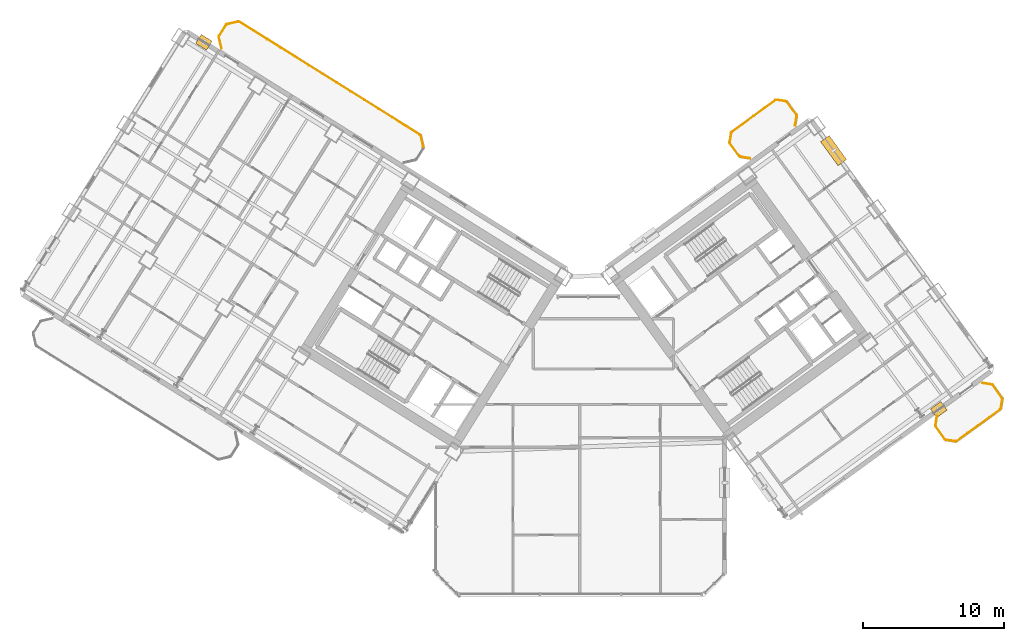
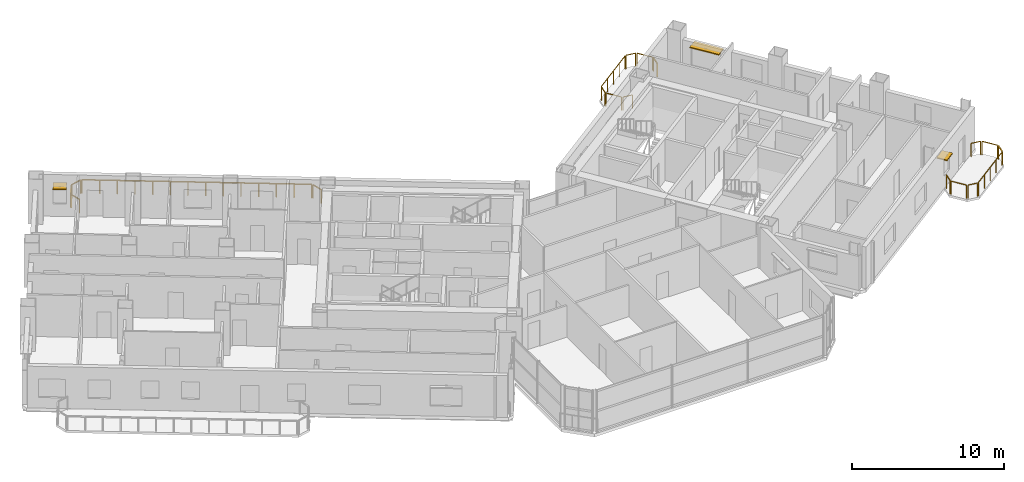
# One storey, part 25 of 25: 19 railings, 3 shading devices.
"""IFC4 building model written with IfcOpenShell, lengths in metres."""

import ifcopenshell
import ifcopenshell.guid

model = None  # the IFC model being written
_history = None  # IfcOwnerHistory: only IFC2X3 demands one
_inside = {}  # id of a spatial element -> (the spatial element, [elements in it])
_under = {}  # id of a project, library or spatial element -> (it, [spatial elements below it])
_declared = {}  # id of a project -> (the project, [libraries it declares])
_typed = {}  # id of a type object -> (the type object, [elements of that type])
_made_of = {}  # id of a material, layer set ... -> (it, [elements and type objects made of it])


def new_model(schema):
    """Start an empty IFC model of exactly this schema.

    Asked for "IFC4X3", IfcOpenShell would pick the latest addendum, in which some entities
    have other attributes; the version numbers below select the first issue.
    IFC2X3 requires an IfcOwnerHistory on every rooted entity: one is made here for all.
    """
    global model, _history
    if schema == "IFC4X3":
        model = ifcopenshell.file(schema_version=(4, 3, 0, 0))
    else:
        model = ifcopenshell.file(schema=schema)
    _inside.clear()
    _under.clear()
    _declared.clear()
    _typed.clear()
    _made_of.clear()
    _history = None
    if model.schema == "IFC2X3":
        org = make("IfcOrganization", Name="unknown")
        user = make(
            "IfcPersonAndOrganization",
            ThePerson=make("IfcPerson", FamilyName="unknown"),
            TheOrganization=org,
        )
        app = make(
            "IfcApplication",
            ApplicationDeveloper=org,
            Version="unknown",
            ApplicationFullName="unknown",
            ApplicationIdentifier="unknown",
        )
        _history = make(
            "IfcOwnerHistory",
            OwningUser=user,
            OwningApplication=app,
            ChangeAction="ADDED",
            CreationDate=0,
        )
    return model


def make(cls, **values):
    """One entity of the class cls with the attributes given. An attribute that is None is left unset."""
    return model.create_entity(
        cls, **{name: value for name, value in values.items() if value is not None}
    )


def rooted(cls, **values):
    """An entity with a GlobalId (a new one), such as an element, a storey or a relation."""
    return make(cls, GlobalId=ifcopenshell.guid.new(), OwnerHistory=_history, **values)


def si_unit(unit_type, name, prefix=None):
    """IfcSIUnit, for example si_unit("LENGTHUNIT", "METRE", prefix="MILLI")."""
    return make("IfcSIUnit", UnitType=unit_type, Prefix=prefix, Name=name)


def assignment(units):
    """IfcUnitAssignment: the units of a project."""
    return None if units is None else make("IfcUnitAssignment", Units=units)


def point(xyz):
    """IfcCartesianPoint."""
    return None if xyz is None else make("IfcCartesianPoint", Coordinates=xyz)


def direction(xyz):
    """IfcDirection."""
    return None if xyz is None else make("IfcDirection", DirectionRatios=xyz)


def frame(location, z_axis=None, x_axis=None):
    """IfcAxis2Placement3D, a coordinate frame: its origin and axes. An axis left out is left unset."""
    return make(
        "IfcAxis2Placement3D",
        Location=point(location),
        Axis=direction(z_axis),
        RefDirection=direction(x_axis),
    )


def frame_2d(location, x_axis=None):
    """IfcAxis2Placement2D, a coordinate frame in the plane: its origin and x axis."""
    return make(
        "IfcAxis2Placement2D", Location=point(location), RefDirection=direction(x_axis)
    )


def origin():
    """The frame at (0, 0, 0) with its axes left unset."""
    return frame((0.0, 0.0, 0.0))


def origin_2d():
    """The frame at (0, 0) in the plane with its x axis left unset."""
    return frame_2d((0.0, 0.0))


def place(relative_to, where):
    """IfcLocalPlacement: puts the frame where relative to a parent placement (None: the world)."""
    return make(
        "IfcLocalPlacement", PlacementRelTo=relative_to, RelativePlacement=where
    )


def context(
    kind, dimensions, precision=None, world=None, true_north=None, identifier=None
):
    """IfcGeometricRepresentationContext, for example the 3D "Model" context."""
    return make(
        "IfcGeometricRepresentationContext",
        ContextIdentifier=identifier,
        ContextType=kind,
        CoordinateSpaceDimension=dimensions,
        Precision=precision,
        WorldCoordinateSystem=world,
        TrueNorth=true_north,
    )


def subcontext(parent, identifier, kind, view, scale=None):
    """IfcGeometricRepresentationSubContext, for example "Body" below "Model"."""
    return make(
        "IfcGeometricRepresentationSubContext",
        ContextIdentifier=identifier,
        ContextType=kind,
        ParentContext=parent,
        TargetScale=scale,
        TargetView=view,
    )


def project(units=None, contexts=None):
    """IfcProject with its units and contexts."""
    return rooted(
        "IfcProject",
        Name="project",
        RepresentationContexts=contexts,
        UnitsInContext=assignment(units),
    )


def spatial(cls, under=None, at=None, **own):
    """A site, building, storey or space (cls), placed at a placement, below another one or the project."""
    s = rooted(cls, ObjectPlacement=at, **own)
    if under is not None:
        _under.setdefault(under.id(), (under, []))[1].append(s)
    return s


def profile(cls, at=None, kind="AREA", **sizes):
    """A parametric profile (cls). Its sizes go by their IFC names, for example OverallWidth=200.0."""
    return make(cls, ProfileType=kind, Position=at, **sizes)


def rectangle(**sizes):
    """IfcRectangleProfileDef."""
    return profile("IfcRectangleProfileDef", **sizes)


def extrude(swept, where, along, depth):
    """IfcExtrudedAreaSolid: the profile swept, set in the frame where, extruded along a direction by depth."""
    return make(
        "IfcExtrudedAreaSolid",
        SweptArea=swept,
        Position=where,
        ExtrudedDirection=direction(along),
        Depth=depth,
    )


def shape(context_of_items, identifier, shape_type, items):
    """IfcShapeRepresentation: the items that make up one representation, for example the "Body"."""
    return make(
        "IfcShapeRepresentation",
        ContextOfItems=context_of_items,
        RepresentationIdentifier=identifier,
        RepresentationType=shape_type,
        Items=items,
    )


def source(mapping_origin, context_of_items, identifier, shape_type, items):
    """IfcRepresentationMap: a shape defined once, which mapped items show again and again."""
    return make(
        "IfcRepresentationMap",
        MappingOrigin=mapping_origin,
        MappedRepresentation=shape(context_of_items, identifier, shape_type, items),
    )


def transform(
    local_origin,
    x_axis=None,
    y_axis=None,
    z_axis=None,
    scale=None,
    scale2=None,
    scale3=None,
    uniform=True,
):
    """IfcCartesianTransformationOperator3D, or its non-uniform kind. x_axis, y_axis, z_axis: its Axis1, 2, 3."""
    if uniform:
        return make(
            "IfcCartesianTransformationOperator3D",
            Axis1=direction(x_axis),
            Axis2=direction(y_axis),
            LocalOrigin=point(local_origin),
            Scale=scale,
            Axis3=direction(z_axis),
        )
    return make(
        "IfcCartesianTransformationOperator3DnonUniform",
        Axis1=direction(x_axis),
        Axis2=direction(y_axis),
        LocalOrigin=point(local_origin),
        Scale=scale,
        Axis3=direction(z_axis),
        Scale2=scale2,
        Scale3=scale3,
    )


def mapped(mapping_source, mapping_target):
    """IfcMappedItem: shows the shape of a source again, moved by a transform."""
    return make(
        "IfcMappedItem", MappingSource=mapping_source, MappingTarget=mapping_target
    )


def material(Name=None, Category=None):
    """IfcMaterial."""
    return make("IfcMaterial", Name=Name, Category=Category)


def layer(
    of_material, thickness, ventilated=None, Name=None, Category=None, Priority=None
):
    """IfcMaterialLayer: one layer of a wall or slab, of a material (None: an air gap)."""
    return make(
        "IfcMaterialLayer",
        Material=of_material,
        LayerThickness=thickness,
        IsVentilated=ventilated,
        Name=Name,
        Category=Category,
        Priority=Priority,
    )


def layer_set(layers, Name=None):
    """IfcMaterialLayerSet."""
    return make("IfcMaterialLayerSet", MaterialLayers=layers, LayerSetName=Name)


def made_of(thing, what):
    """Note that an element or type object is made of a material, layer set ...; save() writes the relation."""
    if what is not None:
        _made_of.setdefault(what.id(), (what, []))[1].append(thing)
    return thing


def type_object(cls, material=None, **own):
    """A type object (cls), such as IfcWallType, which elements share."""
    return made_of(rooted(cls, **own), material)


def element(
    cls,
    number,
    at=None,
    inside=None,
    cuts=None,
    type_object=None,
    material=None,
    context=None,
    identifier="Body",
    shape_type=None,
    held_by="IfcProductDefinitionShape",
    body=None,
    shapes=None,
    **own,
):
    """One element of the class cls, such as IfcWall. Its Tag is "e" and its number.

    at: its placement. inside: the storey or other place that contains it. cuts: it is an
    opening in that element (IfcRelVoidsElement). A single representation is given by context,
    identifier, shape_type and body (its items); several are given by shapes. held_by: the class
    of the entity that holds the representations. save() writes the other relations.
    """
    e = rooted(cls, Tag="e%d" % number, ObjectPlacement=at, **own)
    if body is not None:
        shapes = [shape(context, identifier, shape_type, body)]
    if shapes is not None:
        e.Representation = make(held_by, Representations=shapes)
    if inside is not None:
        _inside.setdefault(inside.id(), (inside, []))[1].append(e)
    if cuts is not None:
        rooted(
            "IfcRelVoidsElement", RelatingBuildingElement=cuts, RelatedOpeningElement=e
        )
    if type_object is not None:
        _typed.setdefault(type_object.id(), (type_object, []))[1].append(e)
    return made_of(e, material)


def aggregate(whole, parts):
    """IfcRelAggregates: a whole, such as a stair, and the parts it consists of."""
    return rooted("IfcRelAggregates", RelatingObject=whole, RelatedObjects=parts)


def save(model, path):
    """Write the relations noted so far, then the file.

    IfcRelAggregates (storeys below a building ...), IfcRelContainedInSpatialStructure (elements
    in a storey), IfcRelDefinesByType, IfcRelAssociatesMaterial and IfcRelDeclares: one each for
    every whole, place, type object, material and project.
    """
    for whole, parts in _under.values():
        aggregate(whole, parts)
    for where, things in _inside.values():
        rooted(
            "IfcRelContainedInSpatialStructure",
            RelatedElements=things,
            RelatingStructure=where,
        )
    for kind, things in _typed.values():
        rooted("IfcRelDefinesByType", RelatedObjects=things, RelatingType=kind)
    for what, things in _made_of.values():
        rooted("IfcRelAssociatesMaterial", RelatedObjects=things, RelatingMaterial=what)
    for by, libraries in _declared.values():
        rooted("IfcRelDeclares", RelatingContext=by, RelatedDefinitions=libraries)
    model.write(path)


model = new_model("IFC4")

# Units and contexts
model_context = context("Model", 3, precision=1e-05, world=origin(), true_north=direction((0.0, 1.0)))
body_context = subcontext(model_context, "Body", "Model", "MODEL_VIEW")
ifc_project = project(units=[si_unit("LENGTHUNIT", "METRE"), si_unit("AREAUNIT", "SQUARE_METRE"), si_unit("VOLUMEUNIT", "CUBIC_METRE"), si_unit("PLANEANGLEUNIT", "RADIAN"), si_unit("MASSUNIT", "GRAM", prefix="KILO")], contexts=[model_context])

# Site, building, storey
site_placement = place(None, origin())
site = spatial("IfcSite", under=ifc_project, at=site_placement, CompositionType="ELEMENT")
building_placement = place(site_placement, origin())
building = spatial("IfcBuilding", under=site, at=building_placement, Name="Tlacorven Tower", CompositionType="ELEMENT")
storey_placement = place(building_placement, frame((0.0, 0.0, 52.800048828125)))
storey = spatial("IfcBuildingStorey", under=building, at=storey_placement, Name="L13", CompositionType="ELEMENT", Elevation=52.800048828125)

# Railings
ifc_material_1 = material(Name="Aluminium and painted steel balustrade", Category="steel")
railing_type = type_object("IfcRailingType", Name="RL-BAL-1100", PredefinedType="BALUSTRADE", material=ifc_material_1)
shared_shape_1 = source(origin(), body_context, "Body", "SweptSolid", [
    extrude(rectangle(XDim=0.048095703125, YDim=0.048095703125, at=origin_2d()), frame((0.0, 0.0, 1.076171875), z_axis=(0.225058334816, -0.974345290916, 0.0), x_axis=(0.974345290916, 0.225058334816, 0.0)), (0.0, 0.0, 1.0), 0.80712890625),
    extrude(rectangle(XDim=0.0419921875, YDim=0.0419921875, at=origin_2d()), origin(), (0.0, 0.0, 1.0), 1.052001953125),
    extrude(rectangle(XDim=0.0419921875, YDim=0.0419921875, at=origin_2d()), frame((0.181640625, -0.786376953125, 0.0)), (0.0, 0.0, 1.0), 1.052001953125),
])
railing_1_placement = place(storey_placement, frame((30.6796875, 34.466064453125, 0.0)))
element("IfcRailing", 1, at=railing_1_placement, inside=storey, type_object=railing_type, Name="BAL-L13-W-IN Guard Railing 1", PredefinedType="BALUSTRADE", context=body_context, shape_type="MappedRepresentation", body=[
    mapped(shared_shape_1, transform((0.0, 0.0, 0.0), scale=1.0)),
])
shared_shape_2 = source(origin(), body_context, "Body", "SweptSolid", [
    extrude(rectangle(XDim=0.048095703125, YDim=0.048095703125, at=origin_2d()), frame((0.0, 0.0, 1.076171875), z_axis=(-0.225058334816, 0.974345290916, 0.0), x_axis=(-0.974345290916, -0.225058334816, 0.0)), (0.0, 0.0, 1.0), 0.80712890625),
    extrude(rectangle(XDim=0.0419921875, YDim=0.0419921875, at=origin_2d()), origin(), (0.0, 0.0, 1.0), 1.052001953125),
    extrude(rectangle(XDim=0.0419921875, YDim=0.0419921875, at=origin_2d()), frame((-0.181640625, 0.786376953125, 0.0)), (0.0, 0.0, 1.0), 1.052001953125),
])
railing_2_placement = place(storey_placement, frame((16.5361328125, 40.68115234375, 0.0)))
element("IfcRailing", 2, at=railing_2_placement, inside=storey, type_object=railing_type, Name="BAL-L13-W-IN Guard Railing 4", PredefinedType="BALUSTRADE", context=body_context, shape_type="MappedRepresentation", body=[
    mapped(shared_shape_2, transform((0.0, 0.0, 0.0), scale=1.0)),
])
shared_shape_3 = source(origin(), body_context, "Body", "SweptSolid", [
    extrude(rectangle(XDim=0.048095703125, YDim=0.048095703125, at=origin_2d()), frame((0.0, 0.0, 1.076171875), z_axis=(0.52987865805, 0.848073468364, 0.0), x_axis=(-0.848073468364, 0.52987865805, 0.0)), (0.0, 0.0, 1.0), 0.912353515625),
    extrude(rectangle(XDim=0.0419921875, YDim=0.0419921875, at=origin_2d()), origin(), (0.0, 0.0, 1.0), 1.052001953125),
    extrude(rectangle(XDim=0.0419921875, YDim=0.0419921875, at=origin_2d()), frame((0.4833984375, 0.773681640625, 0.0)), (0.0, 0.0, 1.0), 1.052001953125),
])
railing_3_placement = place(storey_placement, frame((16.369873046875, 41.55859375, 0.0)))
element("IfcRailing", 3, at=railing_3_placement, inside=storey, type_object=railing_type, Name="BAL-L13-W-IN Guard Railing 5", PredefinedType="BALUSTRADE", context=body_context, shape_type="MappedRepresentation", body=[
    mapped(shared_shape_3, transform((0.0, 0.0, 0.0), scale=1.0)),
])
shared_shape_4 = source(origin(), body_context, "Body", "SweptSolid", [
    extrude(rectangle(XDim=0.048095703125, YDim=0.048095703125, at=origin_2d()), frame((0.0, 0.0, 1.076171875), z_axis=(0.974411586182, 0.224771129628, 0.0), x_axis=(-0.224771129628, 0.974411586182, 0.0)), (0.0, 0.0, 1.0), 0.80712890625),
    extrude(rectangle(XDim=0.0419921875, YDim=0.0419921875, at=origin_2d()), origin(), (0.0, 0.0, 1.0), 1.052001953125),
    extrude(rectangle(XDim=0.0419921875, YDim=0.0419921875, at=origin_2d()), frame((0.786376953125, 0.181396484375, 0.0)), (0.0, 0.0, 1.0), 1.052001953125),
])
railing_4_placement = place(storey_placement, frame((16.928466796875, 42.385986328125, 0.0)))
element("IfcRailing", 4, at=railing_4_placement, inside=storey, type_object=railing_type, Name="BAL-L13-W-IN Guard Railing 6", PredefinedType="BALUSTRADE", context=body_context, shape_type="MappedRepresentation", body=[
    mapped(shared_shape_4, transform((0.0, 0.0, 0.0), scale=1.0)),
])
shared_shape_5 = source(origin(), body_context, "Body", "SweptSolid", [
    extrude(rectangle(XDim=0.048095703125, YDim=0.048095703125, at=origin_2d()), frame((0.0, 0.0, 1.076171875), z_axis=(0.848044572804, -0.529924902733, 0.0), x_axis=(0.529924902733, 0.848044572804, 0.0)), (0.0, 0.0, 1.0), 15.1171875),
    extrude(rectangle(XDim=0.0419921875, YDim=0.0419921875, at=origin_2d()), origin(), (0.0, 0.0, 1.0), 1.052001953125),
    extrude(rectangle(XDim=0.0419921875, YDim=0.0419921875, at=origin_2d()), frame((0.986083984375, -0.6162109375, 0.0)), (0.0, 0.0, 1.0), 1.052001953125),
    extrude(rectangle(XDim=0.0419921875, YDim=0.0419921875, at=origin_2d()), frame((1.972412109375, -1.232421875, 0.0)), (0.0, 0.0, 1.0), 1.052001953125),
    extrude(rectangle(XDim=0.0419921875, YDim=0.0419921875, at=origin_2d()), frame((2.95849609375, -1.8486328125, 0.0)), (0.0, 0.0, 1.0), 1.052001953125),
    extrude(rectangle(XDim=0.0419921875, YDim=0.0419921875, at=origin_2d()), frame((3.944580078125, -2.46484375, 0.0)), (0.0, 0.0, 1.0), 1.052001953125),
    extrude(rectangle(XDim=0.0419921875, YDim=0.0419921875, at=origin_2d()), frame((4.930908203125, -3.0810546875, 0.0)), (0.0, 0.0, 1.0), 1.052001953125),
    extrude(rectangle(XDim=0.0419921875, YDim=0.0419921875, at=origin_2d()), frame((5.9169921875, -3.697265625, 0.0)), (0.0, 0.0, 1.0), 1.052001953125),
    extrude(rectangle(XDim=0.0419921875, YDim=0.0419921875, at=origin_2d()), frame((6.903076171875, -4.313720703125, 0.0)), (0.0, 0.0, 1.0), 1.052001953125),
    extrude(rectangle(XDim=0.0419921875, YDim=0.0419921875, at=origin_2d()), frame((7.88916015625, -4.929931640625, 0.0)), (0.0, 0.0, 1.0), 1.052001953125),
    extrude(rectangle(XDim=0.0419921875, YDim=0.0419921875, at=origin_2d()), frame((8.87548828125, -5.546142578125, 0.0)), (0.0, 0.0, 1.0), 1.052001953125),
    extrude(rectangle(XDim=0.0419921875, YDim=0.0419921875, at=origin_2d()), frame((9.861572265625, -6.162353515625, 0.0)), (0.0, 0.0, 1.0), 1.052001953125),
    extrude(rectangle(XDim=0.0419921875, YDim=0.0419921875, at=origin_2d()), frame((10.84765625, -6.778564453125, 0.0)), (0.0, 0.0, 1.0), 1.052001953125),
    extrude(rectangle(XDim=0.0419921875, YDim=0.0419921875, at=origin_2d()), frame((11.833984375, -7.394775390625, 0.0)), (0.0, 0.0, 1.0), 1.052001953125),
    extrude(rectangle(XDim=0.0419921875, YDim=0.0419921875, at=origin_2d()), frame((12.820068359375, -8.010986328125, 0.0)), (0.0, 0.0, 1.0), 1.052001953125),
])
railing_5_placement = place(storey_placement, frame((17.805908203125, 42.55224609375, 0.0)))
element("IfcRailing", 5, at=railing_5_placement, inside=storey, type_object=railing_type, Name="BAL-L13-W-IN Guard Railing 7", PredefinedType="BALUSTRADE", context=body_context, shape_type="MappedRepresentation", body=[
    mapped(shared_shape_5, transform((0.0, 0.0, 0.0), scale=1.0)),
])
shared_shape_6 = source(origin(), body_context, "Body", "SweptSolid", [
    extrude(rectangle(XDim=0.048095703125, YDim=0.048095703125, at=origin_2d()), frame((0.0, 0.0, 1.076171875), z_axis=(-0.987661653326, 0.156602868908, 0.0), x_axis=(-0.156602868908, -0.987661653326, 0.0)), (0.0, 0.0, 1.0), 0.665771484375),
    extrude(rectangle(XDim=0.0419921875, YDim=0.0419921875, at=origin_2d()), origin(), (0.0, 0.0, 1.0), 1.052001953125),
    extrude(rectangle(XDim=0.0419921875, YDim=0.0419921875, at=origin_2d()), frame((-0.657470703125, 0.104248046875, 0.0)), (0.0, 0.0, 1.0), 1.052001953125),
])
railing_6_placement = place(storey_placement, frame((68.59521484375, 12.7919921875, 0.0)))
element("IfcRailing", 6, at=railing_6_placement, inside=storey, type_object=railing_type, Name="BAL-L13-E-OUT Guard Railing 1", PredefinedType="BALUSTRADE", context=body_context, shape_type="MappedRepresentation", body=[
    mapped(shared_shape_6, transform((0.0, 0.0, 0.0), scale=1.0)),
])
shared_shape_7 = source(origin(), body_context, "Body", "SweptSolid", [
    extrude(rectangle(XDim=0.048095703125, YDim=0.048095703125, at=origin_2d()), frame((0.0, 0.0, 1.076171875), z_axis=(-0.58788449985, 0.808944877501, 0.0), x_axis=(-0.808944877501, -0.58788449985, 0.0)), (0.0, 0.0, 1.0), 1.112060546875),
    extrude(rectangle(XDim=0.0419921875, YDim=0.0419921875, at=origin_2d()), origin(), (0.0, 0.0, 1.0), 1.052001953125),
    extrude(rectangle(XDim=0.0419921875, YDim=0.0419921875, at=origin_2d()), frame((-0.65380859375, 0.899658203125, 0.0)), (0.0, 0.0, 1.0), 1.052001953125),
])
railing_7_placement = place(storey_placement, frame((67.85888671875, 12.944580078125, 0.0)))
element("IfcRailing", 7, at=railing_7_placement, inside=storey, type_object=railing_type, Name="BAL-L13-E-OUT Guard Railing 2", PredefinedType="BALUSTRADE", context=body_context, shape_type="MappedRepresentation", body=[
    mapped(shared_shape_7, transform((0.0, 0.0, 0.0), scale=1.0)),
])
shared_shape_8 = source(origin(), body_context, "Body", "SweptSolid", [
    extrude(rectangle(XDim=0.048095703125, YDim=0.048095703125, at=origin_2d()), frame((0.0, 0.0, 1.076171875), z_axis=(0.156602868908, 0.987661653326, 0.0), x_axis=(-0.987661653326, 0.156602868908, 0.0)), (0.0, 0.0, 1.0), 0.665771484375),
    extrude(rectangle(XDim=0.0419921875, YDim=0.0419921875, at=origin_2d()), origin(), (0.0, 0.0, 1.0), 1.052001953125),
    extrude(rectangle(XDim=0.0419921875, YDim=0.0419921875, at=origin_2d()), frame((0.104248046875, 0.657470703125, 0.0)), (0.0, 0.0, 1.0), 1.052001953125),
])
railing_8_placement = place(storey_placement, frame((67.18359375, 13.93408203125, 0.0)))
element("IfcRailing", 8, at=railing_8_placement, inside=storey, type_object=railing_type, Name="BAL-L13-E-OUT Guard Railing 3", PredefinedType="BALUSTRADE", context=body_context, shape_type="MappedRepresentation", body=[
    mapped(shared_shape_8, transform((0.0, 0.0, 0.0), scale=1.0)),
])
shared_shape_9 = source(origin(), body_context, "Body", "SweptSolid", [
    extrude(rectangle(XDim=0.048095703125, YDim=0.048095703125, at=origin_2d()), frame((0.0, 0.0, 1.076171875), z_axis=(0.987718317463, -0.156245081039, 0.0), x_axis=(0.156245081039, 0.987718317463, 0.0)), (0.0, 0.0, 1.0), 0.66552734375),
    extrude(rectangle(XDim=0.0419921875, YDim=0.0419921875, at=origin_2d()), origin(), (0.0, 0.0, 1.0), 1.052001953125),
    extrude(rectangle(XDim=0.0419921875, YDim=0.0419921875, at=origin_2d()), frame((0.657470703125, -0.10400390625, 0.0)), (0.0, 0.0, 1.0), 1.052001953125),
])
railing_9_placement = place(storey_placement, frame((70.513916015625, 16.935546875, 0.0)))
element("IfcRailing", 9, at=railing_9_placement, inside=storey, type_object=railing_type, Name="BAL-L13-E-OUT Guard Railing 4", PredefinedType="BALUSTRADE", context=body_context, shape_type="MappedRepresentation", body=[
    mapped(shared_shape_9, transform((0.0, 0.0, 0.0), scale=1.0)),
])
shared_shape_10 = source(origin(), body_context, "Body", "SweptSolid", [
    extrude(rectangle(XDim=0.048095703125, YDim=0.048095703125, at=origin_2d()), frame((0.0, 0.0, 1.076171875), z_axis=(0.58788449985, -0.808944877501, 0.0), x_axis=(0.808944877501, 0.58788449985, 0.0)), (0.0, 0.0, 1.0), 1.112060546875),
    extrude(rectangle(XDim=0.0419921875, YDim=0.0419921875, at=origin_2d()), origin(), (0.0, 0.0, 1.0), 1.052001953125),
    extrude(rectangle(XDim=0.0419921875, YDim=0.0419921875, at=origin_2d()), frame((0.65380859375, -0.899658203125, 0.0)), (0.0, 0.0, 1.0), 1.052001953125),
])
for number, where, name in (
    (10, (71.250244140625, 16.783203125, 0.0), "BAL-L13-E-OUT Guard Railing 5"),
    (11, (56.658447265625, 36.866943359375, 0.0), "BAL-L13-E-IN Guard Railing 6"),
):
    element("IfcRailing", number, at=place(storey_placement, frame(where)), inside=storey, type_object=railing_type, Name=name, PredefinedType="BALUSTRADE", context=body_context, shape_type="MappedRepresentation", body=[
        mapped(shared_shape_10, transform((0.0, 0.0, 0.0), scale=1.0)),
    ])
shared_shape_11 = source(origin(), body_context, "Body", "SweptSolid", [
    extrude(rectangle(XDim=0.048095703125, YDim=0.048095703125, at=origin_2d()), frame((0.0, 0.0, 1.076171875), z_axis=(-0.156188498702, -0.987727266442, 0.0), x_axis=(0.987727266442, -0.156188498702, 0.0)), (0.0, 0.0, 1.0), 0.665771484375),
    extrude(rectangle(XDim=0.0419921875, YDim=0.0419921875, at=origin_2d()), origin(), (0.0, 0.0, 1.0), 1.052001953125),
    extrude(rectangle(XDim=0.0419921875, YDim=0.0419921875, at=origin_2d()), frame((-0.10400390625, -0.65771484375, 0.0)), (0.0, 0.0, 1.0), 1.052001953125),
])
railing_10_placement = place(storey_placement, frame((71.925537109375, 15.793701171875, 0.0)))
element("IfcRailing", 12, at=railing_10_placement, inside=storey, type_object=railing_type, Name="BAL-L13-E-OUT Guard Railing 6", PredefinedType="BALUSTRADE", context=body_context, shape_type="MappedRepresentation", body=[
    mapped(shared_shape_11, transform((0.0, 0.0, 0.0), scale=1.0)),
])
shared_shape_12 = source(origin(), body_context, "Body", "SweptSolid", [
    extrude(rectangle(XDim=0.048095703125, YDim=0.048095703125, at=origin_2d()), frame((0.0, 0.0, 1.076171875), z_axis=(-0.809018102573, -0.587783726986, 0.0), x_axis=(0.587783726986, -0.809018102573, 0.0)), (0.0, 0.0, 1.0), 3.817138671875),
    extrude(rectangle(XDim=0.0419921875, YDim=0.0419921875, at=origin_2d()), origin(), (0.0, 0.0, 1.0), 1.052001953125),
    extrude(rectangle(XDim=0.0419921875, YDim=0.0419921875, at=origin_2d()), frame((-0.77197265625, -0.56103515625, 0.0)), (0.0, 0.0, 1.0), 1.052001953125),
    extrude(rectangle(XDim=0.0419921875, YDim=0.0419921875, at=origin_2d()), frame((-1.5439453125, -1.121826171875, 0.0)), (0.0, 0.0, 1.0), 1.052001953125),
    extrude(rectangle(XDim=0.0419921875, YDim=0.0419921875, at=origin_2d()), frame((-2.316162109375, -1.6826171875, 0.0)), (0.0, 0.0, 1.0), 1.052001953125),
    extrude(rectangle(XDim=0.0419921875, YDim=0.0419921875, at=origin_2d()), frame((-3.088134765625, -2.24365234375, 0.0)), (0.0, 0.0, 1.0), 1.052001953125),
])
railing_11_placement = place(storey_placement, frame((71.773193359375, 15.057373046875, 0.0)))
element("IfcRailing", 13, at=railing_11_placement, inside=storey, type_object=railing_type, Name="BAL-L13-E-OUT Guard Railing 7", PredefinedType="BALUSTRADE", context=body_context, shape_type="MappedRepresentation", body=[
    mapped(shared_shape_12, transform((0.0, 0.0, 0.0), scale=1.0)),
])
shared_shape_13 = source(origin(), body_context, "Body", "SweptSolid", [
    extrude(rectangle(XDim=0.048095703125, YDim=0.048095703125, at=origin_2d()), frame((0.0, 0.0, 1.076171875), z_axis=(-0.987718317463, 0.156245081039, 0.0), x_axis=(-0.156245081039, -0.987718317463, 0.0)), (0.0, 0.0, 1.0), 0.66552734375),
    extrude(rectangle(XDim=0.0419921875, YDim=0.0419921875, at=origin_2d()), origin(), (0.0, 0.0, 1.0), 1.052001953125),
    extrude(rectangle(XDim=0.0419921875, YDim=0.0419921875, at=origin_2d()), frame((-0.657470703125, 0.10400390625, 0.0)), (0.0, 0.0, 1.0), 1.052001953125),
])
railing_12_placement = place(storey_placement, frame((54.00341796875, 32.8759765625, 0.0)))
element("IfcRailing", 14, at=railing_12_placement, inside=storey, type_object=railing_type, Name="BAL-L13-E-IN Guard Railing 1", PredefinedType="BALUSTRADE", context=body_context, shape_type="MappedRepresentation", body=[
    mapped(shared_shape_13, transform((0.0, 0.0, 0.0), scale=1.0)),
])
shared_shape_14 = source(origin(), body_context, "Body", "SweptSolid", [
    extrude(rectangle(XDim=0.048095703125, YDim=0.048095703125, at=origin_2d()), frame((0.0, 0.0, 1.076171875), z_axis=(-0.587740817519, 0.809049276263, 0.0), x_axis=(-0.809049276263, -0.587740817519, 0.0)), (0.0, 0.0, 1.0), 1.112060546875),
    extrude(rectangle(XDim=0.0419921875, YDim=0.0419921875, at=origin_2d()), origin(), (0.0, 0.0, 1.0), 1.052001953125),
    extrude(rectangle(XDim=0.0419921875, YDim=0.0419921875, at=origin_2d()), frame((-0.653564453125, 0.899658203125, 0.0)), (0.0, 0.0, 1.0), 1.052001953125),
])
railing_13_placement = place(storey_placement, frame((53.26708984375, 33.0283203125, 0.0)))
element("IfcRailing", 15, at=railing_13_placement, inside=storey, type_object=railing_type, Name="BAL-L13-E-IN Guard Railing 2", PredefinedType="BALUSTRADE", context=body_context, shape_type="MappedRepresentation", body=[
    mapped(shared_shape_14, transform((0.0, 0.0, 0.0), scale=1.0)),
])
shared_shape_15 = source(origin(), body_context, "Body", "SweptSolid", [
    extrude(rectangle(XDim=0.048095703125, YDim=0.048095703125, at=origin_2d()), frame((0.0, 0.0, 1.076171875), z_axis=(0.156546163506, 0.987670642822, 0.0), x_axis=(-0.987670642822, 0.156546163506, 0.0)), (0.0, 0.0, 1.0), 0.666015625),
    extrude(rectangle(XDim=0.0419921875, YDim=0.0419921875, at=origin_2d()), origin(), (0.0, 0.0, 1.0), 1.052001953125),
    extrude(rectangle(XDim=0.0419921875, YDim=0.0419921875, at=origin_2d()), frame((0.104248046875, 0.65771484375, 0.0)), (0.0, 0.0, 1.0), 1.052001953125),
])
railing_14_placement = place(storey_placement, frame((52.591796875, 34.017822265625, 0.0)))
element("IfcRailing", 16, at=railing_14_placement, inside=storey, type_object=railing_type, Name="BAL-L13-E-IN Guard Railing 3", PredefinedType="BALUSTRADE", context=body_context, shape_type="MappedRepresentation", body=[
    mapped(shared_shape_15, transform((0.0, 0.0, 0.0), scale=1.0)),
])
shared_shape_16 = source(origin(), body_context, "Body", "SweptSolid", [
    extrude(rectangle(XDim=0.048095703125, YDim=0.048095703125, at=origin_2d()), frame((0.0, 0.0, 1.076171875), z_axis=(0.809040198054, 0.587753313843, 0.0), x_axis=(-0.587753313843, 0.809040198054, 0.0)), (0.0, 0.0, 1.0), 3.8173828125),
    extrude(rectangle(XDim=0.0419921875, YDim=0.0419921875, at=origin_2d()), origin(), (0.0, 0.0, 1.0), 1.052001953125),
    extrude(rectangle(XDim=0.0419921875, YDim=0.0419921875, at=origin_2d()), frame((0.77197265625, 0.56103515625, 0.0)), (0.0, 0.0, 1.0), 1.052001953125),
    extrude(rectangle(XDim=0.0419921875, YDim=0.0419921875, at=origin_2d()), frame((1.544189453125, 1.121826171875, 0.0)), (0.0, 0.0, 1.0), 1.052001953125),
    extrude(rectangle(XDim=0.0419921875, YDim=0.0419921875, at=origin_2d()), frame((2.31640625, 1.6826171875, 0.0)), (0.0, 0.0, 1.0), 1.052001953125),
    extrude(rectangle(XDim=0.0419921875, YDim=0.0419921875, at=origin_2d()), frame((3.08837890625, 2.24365234375, 0.0)), (0.0, 0.0, 1.0), 1.052001953125),
])
railing_15_placement = place(storey_placement, frame((52.744140625, 34.754150390625, 0.0)))
element("IfcRailing", 17, at=railing_15_placement, inside=storey, type_object=railing_type, Name="BAL-L13-E-IN Guard Railing 4", PredefinedType="BALUSTRADE", context=body_context, shape_type="MappedRepresentation", body=[
    mapped(shared_shape_16, transform((0.0, 0.0, 0.0), scale=1.0)),
])
shared_shape_17 = source(origin(), body_context, "Body", "SweptSolid", [
    extrude(rectangle(XDim=0.048095703125, YDim=0.048095703125, at=origin_2d()), frame((0.0, 0.0, 1.076171875), z_axis=(0.987670642822, -0.156546163506, 0.0), x_axis=(0.156546163506, 0.987670642822, 0.0)), (0.0, 0.0, 1.0), 0.666015625),
    extrude(rectangle(XDim=0.0419921875, YDim=0.0419921875, at=origin_2d()), origin(), (0.0, 0.0, 1.0), 1.052001953125),
    extrude(rectangle(XDim=0.0419921875, YDim=0.0419921875, at=origin_2d()), frame((0.65771484375, -0.104248046875, 0.0)), (0.0, 0.0, 1.0), 1.052001953125),
])
railing_16_placement = place(storey_placement, frame((55.922119140625, 37.01953125, 0.0)))
element("IfcRailing", 18, at=railing_16_placement, inside=storey, type_object=railing_type, Name="BAL-L13-E-IN Guard Railing 5", PredefinedType="BALUSTRADE", context=body_context, shape_type="MappedRepresentation", body=[
    mapped(shared_shape_17, transform((0.0, 0.0, 0.0), scale=1.0)),
])
shared_shape_18 = source(origin(), body_context, "Body", "SweptSolid", [
    extrude(rectangle(XDim=0.048095703125, YDim=0.048095703125, at=origin_2d()), frame((0.0, 0.0, 1.076171875), z_axis=(-0.156245081039, -0.987718317463, 0.0), x_axis=(0.987718317463, -0.156245081039, 0.0)), (0.0, 0.0, 1.0), 0.66552734375),
    extrude(rectangle(XDim=0.0419921875, YDim=0.0419921875, at=origin_2d()), origin(), (0.0, 0.0, 1.0), 1.052001953125),
    extrude(rectangle(XDim=0.0419921875, YDim=0.0419921875, at=origin_2d()), frame((-0.10400390625, -0.657470703125, 0.0)), (0.0, 0.0, 1.0), 1.052001953125),
])
railing_17_placement = place(storey_placement, frame((57.333740234375, 35.87744140625, 0.0)))
element("IfcRailing", 19, at=railing_17_placement, inside=storey, type_object=railing_type, Name="BAL-L13-E-IN Guard Railing 7", PredefinedType="BALUSTRADE", context=body_context, shape_type="MappedRepresentation", body=[
    mapped(shared_shape_18, transform((0.0, 0.0, 0.0), scale=1.0)),
])

# Shading devices
ifc_material_2 = material(Name="Anodised bronze aluminium sunshade", Category="aluminium")
ifc_layer = layer(ifc_material_2, 0.080078125)
ifc_layer_set = layer_set([ifc_layer], Name="Anodised bronze aluminium sunshade")
shading_device_type = type_object("IfcShadingDeviceType", Name="SH-SUN-BRZ", PredefinedType="AWNING", material=ifc_layer_set)
shared_shape_19 = source(origin(), body_context, "Body", "SweptSolid", [
    extrude(rectangle(XDim=2.10009765625, YDim=0.75, at=origin_2d()), origin(), (0.0, 0.0, 1.0), 0.080078125),
])
shading_device_placement = place(storey_placement, frame((59.95361328125, 33.420654296875, 2.369873046875), z_axis=(0.0, 0.0, 1.0), x_axis=(0.587785363163, -0.809016913823, 0.0)))
element("IfcShadingDevice", 20, at=shading_device_placement, inside=storey, type_object=shading_device_type, Name="L13 Solar Brise-Soleil Sunshade L13-05.1", PredefinedType="AWNING", context=body_context, shape_type="MappedRepresentation", body=[
    mapped(shared_shape_19, transform((0.0, 0.0, 0.0), scale=1.0)),
])
shared_shape_20 = source(origin(), body_context, "Body", "SweptSolid", [
    extrude(rectangle(XDim=0.89990234375, YDim=0.75, at=origin_2d()), origin(), (0.0, 0.0, 1.0), 0.080078125),
])
for number, where, z_axis, x_axis, name in (
    (21, (15.288330078125, 41.106689453125, 2.27001953125), (0.0, 0.0, 1.0), (0.84804812172, -0.529919223323, 0.0), "L13 Solar Brise-Soleil Sunshade L13-03.1"),
    (22, (67.413818359375, 15.054443359375, 2.27001953125), (0.0, 0.0, 1.0), (-0.809017097486, -0.587785110372, 0.0), "L13 Solar Brise-Soleil Sunshade L13-06.1"),
):
    element("IfcShadingDevice", number, at=place(storey_placement, frame(where, z_axis=z_axis, x_axis=x_axis)), inside=storey, type_object=shading_device_type, Name=name, PredefinedType="AWNING", context=body_context, shape_type="MappedRepresentation", body=[
        mapped(shared_shape_20, transform((0.0, 0.0, 0.0), scale=1.0)),
    ])

save(model, "model.ifc")
